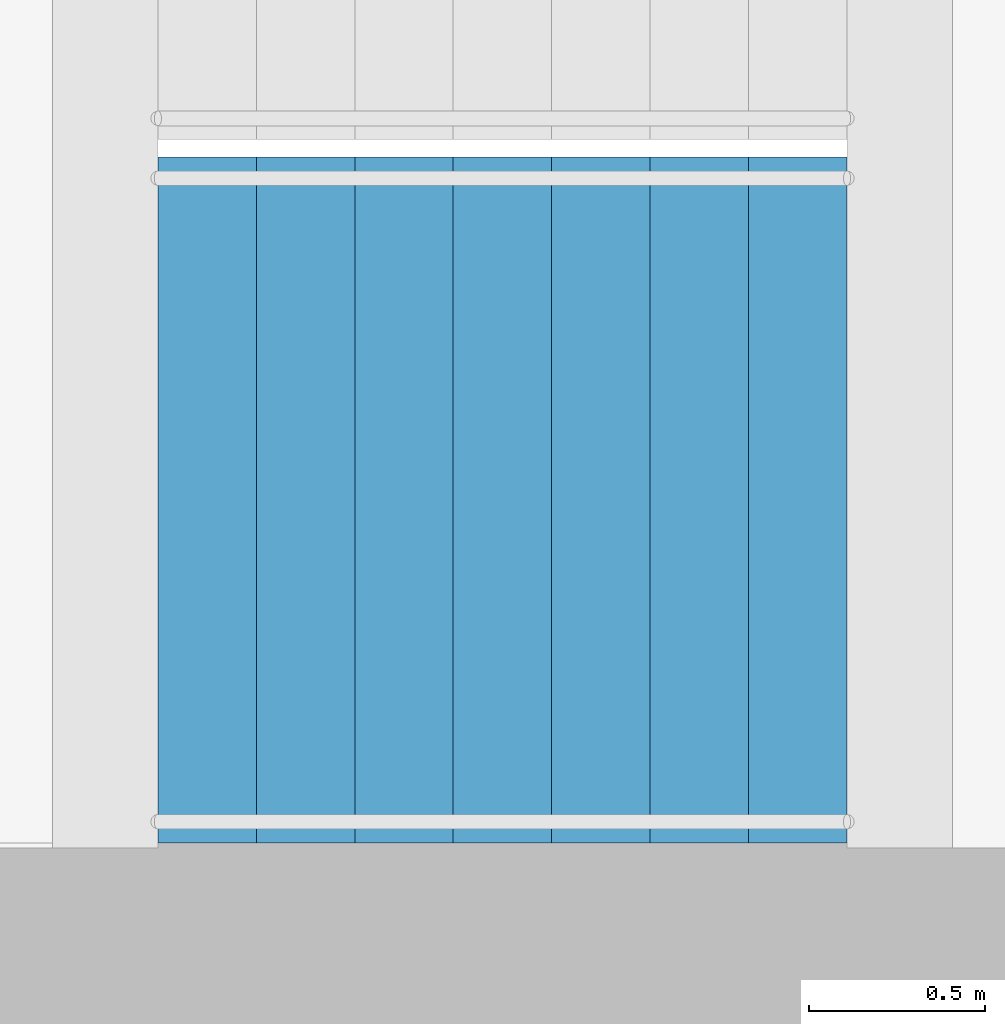
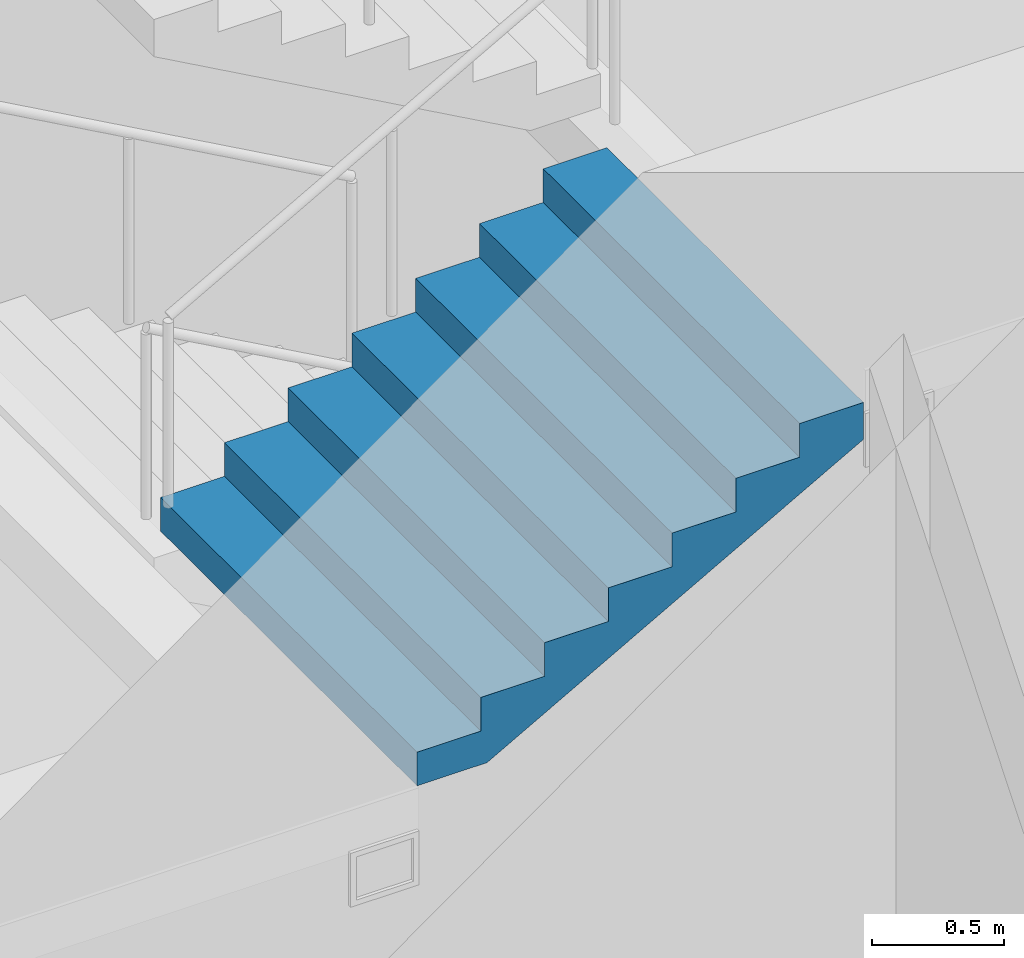
# One storey, part 21 of 37: 1 stair flight, 1 element without a shape of its own.
"""IFC4 building model written with IfcOpenShell, lengths in metres."""

from ifc_helpers import new_model, si_unit, direction, frame, origin, place, context, subcontext, project, spatial, triangles, material, type_object, element, aggregate, save


model = new_model("IFC4")

# Units and contexts
model_context = context("Model", 3, precision=1e-05, world=origin(), true_north=direction((0.0, 1.0)))
body_context = subcontext(model_context, "Body", "Model", "MODEL_VIEW")
ifc_project = project(units=[si_unit("LENGTHUNIT", "METRE"), si_unit("AREAUNIT", "SQUARE_METRE"), si_unit("VOLUMEUNIT", "CUBIC_METRE"), si_unit("PLANEANGLEUNIT", "RADIAN"), si_unit("MASSUNIT", "GRAM", prefix="KILO")], contexts=[model_context])

# Site, building, storey
site_placement = place(None, origin())
site = spatial("IfcSite", under=ifc_project, at=site_placement, CompositionType="ELEMENT")
building_placement = place(site_placement, origin())
building = spatial("IfcBuilding", under=site, at=building_placement, Name="Orbita Commons", CompositionType="ELEMENT")
storey_placement = place(building_placement, frame((0.0, 0.0, 6.0)))
storey = spatial("IfcBuildingStorey", under=building, at=storey_placement, Name="L01", CompositionType="ELEMENT", Elevation=6.0)

# Stair, stair flight
ifc_material_1 = material(Name="Precast concrete C40/50", Category="concrete")
stair_type = type_object("IfcStairType", Name="Exit stair S1 4 flights 8 risers 156", PredefinedType="HALF_TURN_STAIR", material=ifc_material_1)
stair_placement = place(storey_placement, origin())
stair = element("IfcStair", 1, at=stair_placement, inside=storey, type_object=stair_type, Name="Exit stair S1 L01", PredefinedType="HALF_TURN_STAIR")
ifc_material_2 = material(Name="Precast concrete C40/50", Category="concrete")
stair_flight_type = type_object("IfcStairFlightType", Name="Stair flight 8 risers 156 x 280", PredefinedType="STRAIGHT", material=ifc_material_2)
stair_flight_placement = place(storey_placement, frame((20.449951171875, 27.27490234375, 2.5), z_axis=(0.0, 0.0, 1.0), x_axis=(1.0, 0.0, 0.0)))
stair_flight = element("IfcStairFlight", 2, at=stair_flight_placement, type_object=stair_flight_type, Name="S1 flight 3", NumberOfRisers=8, NumberOfTreads=7, PredefinedType="STRAIGHT", RiserHeight=0.15625, TreadLength=0.28, context=body_context, shape_type="Tessellation", body=[
    triangles([(0.0, 0.974976, 0.0), (0.0, 0.974976, 0.019531), (0.0, 0.81248, 0.019531), (0.0, 0.81248, 0.0), (0.0, 0.649984, 0.019531), (0.0, 0.649984, 0.0), (0.0, 0.487488, 0.019531), (0.0, 0.487488, 0.0), (0.0, 0.324992, 0.019531), (0.0, 0.324992, 0.0), (0.0, 0.162496, 0.019531), (0.0, 0.162496, 0.0), (0.0, 0.0, 0.019531), (0.0, 0.0, 0.0), (0.0, -0.162496, 0.019531), (0.0, -0.162496, 0.0), (0.0, -0.324992, 0.019531), (0.0, -0.324992, 0.0), (0.0, -0.487488, 0.019531), (0.0, -0.487488, 0.0), (0.0, -0.649984, 0.019531), (0.0, -0.649984, 0.0), (0.0, -0.81248, 0.019531), (0.0, -0.81248, 0.0), (0.0, -0.974976, 0.019531), (0.0, -0.974976, 0.0), (0.0, 0.974976, 0.039062), (0.0, 0.81248, 0.039062), (0.0, 0.649984, 0.039062), (0.0, 0.487488, 0.039062), (0.0, 0.324992, 0.039062), (0.0, 0.162496, 0.039062), (0.0, 0.0, 0.039062), (0.0, -0.162496, 0.039062), (0.0, -0.324992, 0.039062), (0.0, -0.487488, 0.039062), (0.0, -0.649984, 0.039062), (0.0, -0.81248, 0.039062), (0.0, -0.974976, 0.039062), (0.0, 0.974976, 0.058594), (0.0, 0.81248, 0.058594), (0.0, 0.649984, 0.058594), (0.0, 0.487488, 0.058594), (0.0, 0.324992, 0.058594), (0.0, 0.162496, 0.058594), (0.0, 0.0, 0.058594), (0.0, -0.162496, 0.058594), (0.0, -0.324992, 0.058594), (0.0, -0.487488, 0.058594), (0.0, -0.649984, 0.058594), (0.0, -0.81248, 0.058594), (0.0, -0.974976, 0.058594), (0.0, 0.974976, 0.078125), (0.0, 0.81248, 0.078125), (0.0, 0.649984, 0.078125), (0.0, 0.487488, 0.078125), (0.0, 0.324992, 0.078125), (0.0, 0.162496, 0.078125), (0.0, 0.0, 0.078125), (0.0, -0.162496, 0.078125), (0.0, -0.324992, 0.078125), (0.0, -0.487488, 0.078125), (0.0, -0.649984, 0.078125), (0.0, -0.81248, 0.078125), (0.0, -0.974976, 0.078125), (0.0, 0.974976, 0.097656), (0.0, 0.81248, 0.097656), (0.0, 0.649984, 0.097656), (0.0, 0.487488, 0.097656), (0.0, 0.324992, 0.097656), (0.0, 0.162496, 0.097656), (0.0, 0.0, 0.097656), (0.0, -0.162496, 0.097656), (0.0, -0.324992, 0.097656), (0.0, -0.487488, 0.097656), (0.0, -0.649984, 0.097656), (0.0, -0.81248, 0.097656), (0.0, -0.974976, 0.097656), (0.0, 0.974976, 0.117188), (0.0, 0.81248, 0.117188), (0.0, 0.649984, 0.117188), (0.0, 0.487488, 0.117188), (0.0, 0.324992, 0.117188), (0.0, 0.162496, 0.117188), (0.0, 0.0, 0.117188), (0.0, -0.162496, 0.117188), (0.0, -0.324992, 0.117188), (0.0, -0.487488, 0.117188), (0.0, -0.649984, 0.117188), (0.0, -0.81248, 0.117188), (0.0, -0.974976, 0.117188), (0.0, 0.974976, 0.136719), (0.0, 0.81248, 0.136719), (0.0, 0.649984, 0.136719), (0.0, 0.487488, 0.136719), (0.0, 0.324992, 0.136719), (0.0, 0.162496, 0.136719), (0.0, 0.0, 0.136719), (0.0, -0.162496, 0.136719), (0.0, -0.324992, 0.136719), (0.0, -0.487488, 0.136719), (0.0, -0.649984, 0.136719), (0.0, -0.81248, 0.136719), (0.0, -0.974976, 0.136719), (0.0, 0.974976, 0.15625), (0.0, 0.81248, 0.15625), (0.0, 0.649984, 0.15625), (0.0, 0.487488, 0.15625), (0.0, 0.324992, 0.15625), (0.0, 0.162496, 0.15625), (0.0, 0.0, 0.15625), (0.0, -0.162496, 0.15625), (0.0, -0.324992, 0.15625), (0.0, -0.487488, 0.15625), (0.0, -0.649984, 0.15625), (0.0, -0.81248, 0.15625), (0.0, -0.974976, 0.15625), (0.28, 0.974976, 0.15625), (0.28, 0.81248, 0.15625), (0.28, 0.649984, 0.15625), (0.28, 0.487488, 0.15625), (0.28, 0.324992, 0.15625), (0.28, 0.162496, 0.15625), (0.28, 0.0, 0.15625), (0.28, -0.162496, 0.15625), (0.28, -0.324992, 0.15625), (0.28, -0.487488, 0.15625), (0.28, -0.649984, 0.15625), (0.28, -0.81248, 0.15625), (0.28, -0.974976, 0.15625), (0.28, 0.974976, 0.3125), (0.28, 0.81248, 0.3125), (0.28, 0.649984, 0.3125), (0.28, 0.487488, 0.3125), (0.28, 0.324992, 0.3125), (0.28, 0.162496, 0.3125), (0.28, 0.0, 0.3125), (0.28, -0.162496, 0.3125), (0.28, -0.324992, 0.3125), (0.28, -0.487488, 0.3125), (0.28, -0.649984, 0.3125), (0.28, -0.81248, 0.3125), (0.28, -0.974976, 0.3125), (0.56, 0.974976, 0.3125), (0.56, 0.81248, 0.3125), (0.56, 0.649984, 0.3125), (0.56, 0.487488, 0.3125), (0.56, 0.324992, 0.3125), (0.56, 0.162496, 0.3125), (0.56, 0.0, 0.3125), (0.56, -0.162496, 0.3125), (0.56, -0.324992, 0.3125), (0.56, -0.487488, 0.3125), (0.56, -0.649984, 0.3125), (0.56, -0.81248, 0.3125), (0.56, -0.974976, 0.3125), (0.56, 0.974976, 0.46875), (0.56, 0.81248, 0.46875), (0.56, 0.649984, 0.46875), (0.56, 0.487488, 0.46875), (0.56, 0.324992, 0.46875), (0.56, 0.162496, 0.46875), (0.56, 0.0, 0.46875), (0.56, -0.162496, 0.46875), (0.56, -0.324992, 0.46875), (0.56, -0.487488, 0.46875), (0.56, -0.649984, 0.46875), (0.56, -0.81248, 0.46875), (0.56, -0.974976, 0.46875), (0.84, 0.974976, 0.46875), (0.84, 0.81248, 0.46875), (0.84, 0.649984, 0.46875), (0.84, 0.487488, 0.46875), (0.84, 0.324992, 0.46875), (0.84, 0.162496, 0.46875), (0.84, 0.0, 0.46875), (0.84, -0.162496, 0.46875), (0.84, -0.324992, 0.46875), (0.84, -0.487488, 0.46875), (0.84, -0.649984, 0.46875), (0.84, -0.81248, 0.46875), (0.84, -0.974976, 0.46875), (0.84, 0.974976, 0.625), (0.84, 0.81248, 0.625), (0.84, 0.649984, 0.625), (0.84, 0.487488, 0.625), (0.84, 0.324992, 0.625), (0.84, 0.162496, 0.625), (0.84, 0.0, 0.625), (0.84, -0.162496, 0.625), (0.84, -0.324992, 0.625), (0.84, -0.487488, 0.625), (0.84, -0.649984, 0.625), (0.84, -0.81248, 0.625), (0.84, -0.974976, 0.625), (1.12, 0.974976, 0.625), (1.12, 0.81248, 0.625), (1.12, 0.649984, 0.625), (1.12, 0.487488, 0.625), (1.12, 0.324992, 0.625), (1.12, 0.162496, 0.625), (1.12, 0.0, 0.625), (1.12, -0.162496, 0.625), (1.12, -0.324992, 0.625), (1.12, -0.487488, 0.625), (1.12, -0.649984, 0.625), (1.12, -0.81248, 0.625), (1.12, -0.974976, 0.625), (1.12, 0.974976, 0.78125), (1.12, 0.81248, 0.78125), (1.12, 0.649984, 0.78125), (1.12, 0.487488, 0.78125), (1.12, 0.324992, 0.78125), (1.12, 0.162496, 0.78125), (1.12, 0.0, 0.78125), (1.12, -0.162496, 0.78125), (1.12, -0.324992, 0.78125), (1.12, -0.487488, 0.78125), (1.12, -0.649984, 0.78125), (1.12, -0.81248, 0.78125), (1.12, -0.974976, 0.78125), (1.4, 0.974976, 0.78125), (1.4, 0.81248, 0.78125), (1.4, 0.649984, 0.78125), (1.4, 0.487488, 0.78125), (1.4, 0.324992, 0.78125), (1.4, 0.162496, 0.78125), (1.4, 0.0, 0.78125), (1.4, -0.162496, 0.78125), (1.4, -0.324992, 0.78125), (1.4, -0.487488, 0.78125), (1.4, -0.649984, 0.78125), (1.4, -0.81248, 0.78125), (1.4, -0.974976, 0.78125), (1.4, 0.974976, 0.9375), (1.4, 0.81248, 0.9375), (1.4, 0.649984, 0.9375), (1.4, 0.487488, 0.9375), (1.4, 0.324992, 0.9375), (1.4, 0.162496, 0.9375), (1.4, 0.0, 0.9375), (1.4, -0.162496, 0.9375), (1.4, -0.324992, 0.9375), (1.4, -0.487488, 0.9375), (1.4, -0.649984, 0.9375), (1.4, -0.81248, 0.9375), (1.4, -0.974976, 0.9375), (1.68, 0.974976, 0.9375), (1.68, 0.81248, 0.9375), (1.68, 0.649984, 0.9375), (1.68, 0.487488, 0.9375), (1.68, 0.324992, 0.9375), (1.68, 0.162496, 0.9375), (1.68, 0.0, 0.9375), (1.68, -0.162496, 0.9375), (1.68, -0.324992, 0.9375), (1.68, -0.487488, 0.9375), (1.68, -0.649984, 0.9375), (1.68, -0.81248, 0.9375), (1.68, -0.974976, 0.9375), (1.68, 0.974976, 1.09375), (1.68, 0.81248, 1.09375), (1.68, 0.649984, 1.09375), (1.68, 0.487488, 1.09375), (1.68, 0.324992, 1.09375), (1.68, 0.162496, 1.09375), (1.68, 0.0, 1.09375), (1.68, -0.162496, 1.09375), (1.68, -0.324992, 1.09375), (1.68, -0.487488, 1.09375), (1.68, -0.649984, 1.09375), (1.68, -0.81248, 1.09375), (1.68, -0.974976, 1.09375), (1.96, 0.974976, 1.09375), (1.96, 0.81248, 1.09375), (1.96, 0.649984, 1.09375), (1.96, 0.487488, 1.09375), (1.96, 0.324992, 1.09375), (1.96, 0.162496, 1.09375), (1.96, 0.0, 1.09375), (1.96, -0.162496, 1.09375), (1.96, -0.324992, 1.09375), (1.96, -0.487488, 1.09375), (1.96, -0.649984, 1.09375), (1.96, -0.81248, 1.09375), (1.96, -0.974976, 1.09375), (1.96, 0.974976, 1.072292), (1.96, 0.81248, 1.072292), (1.96, 0.649984, 1.072292), (1.96, 0.487488, 1.072292), (1.96, 0.324992, 1.072292), (1.96, 0.162496, 1.072292), (1.96, 0.0, 1.072292), (1.96, -0.162496, 1.072292), (1.96, -0.324992, 1.072292), (1.96, -0.487488, 1.072292), (1.96, -0.649984, 1.072292), (1.96, -0.81248, 1.072292), (1.96, -0.974976, 1.072292), (1.96, 0.974976, 1.050834), (1.96, 0.81248, 1.050834), (1.96, 0.649984, 1.050834), (1.96, 0.487488, 1.050834), (1.96, 0.324992, 1.050834), (1.96, 0.162496, 1.050834), (1.96, 0.0, 1.050834), (1.96, -0.162496, 1.050834), (1.96, -0.324992, 1.050834), (1.96, -0.487488, 1.050834), (1.96, -0.649984, 1.050834), (1.96, -0.81248, 1.050834), (1.96, -0.974976, 1.050834), (1.96, 0.974976, 1.029376), (1.96, 0.81248, 1.029376), (1.96, 0.649984, 1.029376), (1.96, 0.487488, 1.029376), (1.96, 0.324992, 1.029376), (1.96, 0.162496, 1.029376), (1.96, 0.0, 1.029376), (1.96, -0.162496, 1.029376), (1.96, -0.324992, 1.029376), (1.96, -0.487488, 1.029376), (1.96, -0.649984, 1.029376), (1.96, -0.81248, 1.029376), (1.96, -0.974976, 1.029376), (1.96, 0.974976, 1.007919), (1.96, 0.81248, 1.007919), (1.96, 0.649984, 1.007919), (1.96, 0.487488, 1.007919), (1.96, 0.324992, 1.007919), (1.96, 0.162496, 1.007919), (1.96, 0.0, 1.007919), (1.96, -0.162496, 1.007919), (1.96, -0.324992, 1.007919), (1.96, -0.487488, 1.007919), (1.96, -0.649984, 1.007919), (1.96, -0.81248, 1.007919), (1.96, -0.974976, 1.007919), (1.96, 0.974976, 0.986461), (1.96, 0.81248, 0.986461), (1.96, 0.649984, 0.986461), (1.96, 0.487488, 0.986461), (1.96, 0.324992, 0.986461), (1.96, 0.162496, 0.986461), (1.96, 0.0, 0.986461), (1.96, -0.162496, 0.986461), (1.96, -0.324992, 0.986461), (1.96, -0.487488, 0.986461), (1.96, -0.649984, 0.986461), (1.96, -0.81248, 0.986461), (1.96, -0.974976, 0.986461), (1.96, 0.974976, 0.965003), (1.96, 0.81248, 0.965003), (1.96, 0.649984, 0.965003), (1.96, 0.487488, 0.965003), (1.96, 0.324992, 0.965003), (1.96, 0.162496, 0.965003), (1.96, 0.0, 0.965003), (1.96, -0.162496, 0.965003), (1.96, -0.324992, 0.965003), (1.96, -0.487488, 0.965003), (1.96, -0.649984, 0.965003), (1.96, -0.81248, 0.965003), (1.96, -0.974976, 0.965003), (1.96, 0.974976, 0.943545), (1.96, 0.81248, 0.943545), (1.96, 0.649984, 0.943545), (1.96, 0.487488, 0.943545), (1.96, 0.324992, 0.943545), (1.96, 0.162496, 0.943545), (1.96, 0.0, 0.943545), (1.96, -0.162496, 0.943545), (1.96, -0.324992, 0.943545), (1.96, -0.487488, 0.943545), (1.96, -0.649984, 0.943545), (1.96, -0.81248, 0.943545), (1.96, -0.974976, 0.943545), (1.96, 0.974976, 0.922087), (1.96, 0.81248, 0.922087), (1.96, 0.649984, 0.922087), (1.96, 0.487488, 0.922087), (1.96, 0.324992, 0.922087), (1.96, 0.162496, 0.922087), (1.96, 0.0, 0.922087), (1.96, -0.162496, 0.922087), (1.96, -0.324992, 0.922087), (1.96, -0.487488, 0.922087), (1.96, -0.649984, 0.922087), (1.96, -0.81248, 0.922087), (1.96, -0.974976, 0.922087), (0.30762, 0.974976, 0.0), (0.30762, 0.81248, 0.0), (0.30762, 0.649984, 0.0), (0.30762, 0.487488, 0.0), (0.30762, 0.324992, 0.0), (0.30762, 0.162496, 0.0), (0.30762, 0.0, 0.0), (0.30762, -0.162496, 0.0), (0.30762, -0.324992, 0.0), (0.30762, -0.487488, 0.0), (0.30762, -0.649984, 0.0), (0.30762, -0.81248, 0.0), (0.30762, -0.974976, 0.0)], [[3, 2, 1], [4, 3, 1], [5, 3, 4], [6, 5, 4], [7, 5, 6], [8, 7, 6], [9, 7, 8], [10, 9, 8], [11, 9, 10], [12, 11, 10], [13, 11, 12], [14, 13, 12], [15, 13, 14], [16, 15, 14], [17, 15, 16], [18, 17, 16], [19, 17, 18], [20, 19, 18], [21, 19, 20], [22, 21, 20], [23, 21, 22], [24, 23, 22], [25, 23, 24], [26, 25, 24], [28, 27, 2], [3, 28, 2], [29, 28, 3], [5, 29, 3], [30, 29, 5], [7, 30, 5], [31, 30, 7], [9, 31, 7], [32, 31, 9], [11, 32, 9], [33, 32, 11], [13, 33, 11], [34, 33, 13], [15, 34, 13], [35, 34, 15], [17, 35, 15], [36, 35, 17], [19, 36, 17], [37, 36, 19], [21, 37, 19], [38, 37, 21], [23, 38, 21], [39, 38, 23], [25, 39, 23], [41, 40, 27], [28, 41, 27], [42, 41, 28], [29, 42, 28], [43, 42, 29], [30, 43, 29], [44, 43, 30], [31, 44, 30], [45, 44, 31], [32, 45, 31], [46, 45, 32], [33, 46, 32], [47, 46, 33], [34, 47, 33], [48, 47, 34], [35, 48, 34], [49, 48, 35], [36, 49, 35], [50, 49, 36], [37, 50, 36], [51, 50, 37], [38, 51, 37], [52, 51, 38], [39, 52, 38], [54, 53, 40], [41, 54, 40], [55, 54, 41], [42, 55, 41], [56, 55, 42], [43, 56, 42], [57, 56, 43], [44, 57, 43], [58, 57, 44], [45, 58, 44], [59, 58, 45], [46, 59, 45], [60, 59, 46], [47, 60, 46], [61, 60, 47], [48, 61, 47], [62, 61, 48], [49, 62, 48], [63, 62, 49], [50, 63, 49], [64, 63, 50], [51, 64, 50], [65, 64, 51], [52, 65, 51], [67, 66, 53], [54, 67, 53], [68, 67, 54], [55, 68, 54], [69, 68, 55], [56, 69, 55], [70, 69, 56], [57, 70, 56], [71, 70, 57], [58, 71, 57], [72, 71, 58], [59, 72, 58], [73, 72, 59], [60, 73, 59], [74, 73, 60], [61, 74, 60], [75, 74, 61], [62, 75, 61], [76, 75, 62], [63, 76, 62], [77, 76, 63], [64, 77, 63], [78, 77, 64], [65, 78, 64], [80, 79, 66], [67, 80, 66], [81, 80, 67], [68, 81, 67], [82, 81, 68], [69, 82, 68], [83, 82, 69], [70, 83, 69], [84, 83, 70], [71, 84, 70], [85, 84, 71], [72, 85, 71], [86, 85, 72], [73, 86, 72], [87, 86, 73], [74, 87, 73], [88, 87, 74], [75, 88, 74], [89, 88, 75], [76, 89, 75], [90, 89, 76], [77, 90, 76], [91, 90, 77], [78, 91, 77], [93, 92, 79], [80, 93, 79], [94, 93, 80], [81, 94, 80], [95, 94, 81], [82, 95, 81], [96, 95, 82], [83, 96, 82], [97, 96, 83], [84, 97, 83], [98, 97, 84], [85, 98, 84], [99, 98, 85], [86, 99, 85], [100, 99, 86], [87, 100, 86], [101, 100, 87], [88, 101, 87], [102, 101, 88], [89, 102, 88], [103, 102, 89], [90, 103, 89], [104, 103, 90], [91, 104, 90], [106, 105, 92], [93, 106, 92], [107, 106, 93], [94, 107, 93], [108, 107, 94], [95, 108, 94], [109, 108, 95], [96, 109, 95], [110, 109, 96], [97, 110, 96], [111, 110, 97], [98, 111, 97], [112, 111, 98], [99, 112, 98], [113, 112, 99], [100, 113, 99], [114, 113, 100], [101, 114, 100], [115, 114, 101], [102, 115, 101], [116, 115, 102], [103, 116, 102], [117, 116, 103], [104, 117, 103], [119, 118, 105], [106, 119, 105], [120, 119, 106], [107, 120, 106], [121, 120, 107], [108, 121, 107], [122, 121, 108], [109, 122, 108], [123, 122, 109], [110, 123, 109], [124, 123, 110], [111, 124, 110], [125, 124, 111], [112, 125, 111], [126, 125, 112], [113, 126, 112], [127, 126, 113], [114, 127, 113], [128, 127, 114], [115, 128, 114], [129, 128, 115], [116, 129, 115], [130, 129, 116], [117, 130, 116], [132, 131, 118], [119, 132, 118], [133, 132, 119], [120, 133, 119], [134, 133, 120], [121, 134, 120], [135, 134, 121], [122, 135, 121], [136, 135, 122], [123, 136, 122], [137, 136, 123], [124, 137, 123], [138, 137, 124], [125, 138, 124], [139, 138, 125], [126, 139, 125], [140, 139, 126], [127, 140, 126], [141, 140, 127], [128, 141, 127], [142, 141, 128], [129, 142, 128], [143, 142, 129], [130, 143, 129], [145, 144, 131], [132, 145, 131], [146, 145, 132], [133, 146, 132], [147, 146, 133], [134, 147, 133], [148, 147, 134], [135, 148, 134], [149, 148, 135], [136, 149, 135], [150, 149, 136], [137, 150, 136], [151, 150, 137], [138, 151, 137], [152, 151, 138], [139, 152, 138], [153, 152, 139], [140, 153, 139], [154, 153, 140], [141, 154, 140], [155, 154, 141], [142, 155, 141], [156, 155, 142], [143, 156, 142], [158, 157, 144], [145, 158, 144], [159, 158, 145], [146, 159, 145], [160, 159, 146], [147, 160, 146], [161, 160, 147], [148, 161, 147], [162, 161, 148], [149, 162, 148], [163, 162, 149], [150, 163, 149], [164, 163, 150], [151, 164, 150], [165, 164, 151], [152, 165, 151], [166, 165, 152], [153, 166, 152], [167, 166, 153], [154, 167, 153], [168, 167, 154], [155, 168, 154], [169, 168, 155], [156, 169, 155], [171, 170, 157], [158, 171, 157], [172, 171, 158], [159, 172, 158], [173, 172, 159], [160, 173, 159], [174, 173, 160], [161, 174, 160], [175, 174, 161], [162, 175, 161], [176, 175, 162], [163, 176, 162], [177, 176, 163], [164, 177, 163], [178, 177, 164], [165, 178, 164], [179, 178, 165], [166, 179, 165], [180, 179, 166], [167, 180, 166], [181, 180, 167], [168, 181, 167], [182, 181, 168], [169, 182, 168], [184, 183, 170], [171, 184, 170], [185, 184, 171], [172, 185, 171], [186, 185, 172], [173, 186, 172], [187, 186, 173], [174, 187, 173], [188, 187, 174], [175, 188, 174], [189, 188, 175], [176, 189, 175], [190, 189, 176], [177, 190, 176], [191, 190, 177], [178, 191, 177], [192, 191, 178], [179, 192, 178], [193, 192, 179], [180, 193, 179], [194, 193, 180], [181, 194, 180], [195, 194, 181], [182, 195, 181], [197, 196, 183], [184, 197, 183], [198, 197, 184], [185, 198, 184], [199, 198, 185], [186, 199, 185], [200, 199, 186], [187, 200, 186], [201, 200, 187], [188, 201, 187], [202, 201, 188], [189, 202, 188], [203, 202, 189], [190, 203, 189], [204, 203, 190], [191, 204, 190], [205, 204, 191], [192, 205, 191], [206, 205, 192], [193, 206, 192], [207, 206, 193], [194, 207, 193], [208, 207, 194], [195, 208, 194], [210, 209, 196], [197, 210, 196], [211, 210, 197], [198, 211, 197], [212, 211, 198], [199, 212, 198], [213, 212, 199], [200, 213, 199], [214, 213, 200], [201, 214, 200], [215, 214, 201], [202, 215, 201], [216, 215, 202], [203, 216, 202], [217, 216, 203], [204, 217, 203], [218, 217, 204], [205, 218, 204], [219, 218, 205], [206, 219, 205], [220, 219, 206], [207, 220, 206], [221, 220, 207], [208, 221, 207], [223, 222, 209], [210, 223, 209], [224, 223, 210], [211, 224, 210], [225, 224, 211], [212, 225, 211], [226, 225, 212], [213, 226, 212], [227, 226, 213], [214, 227, 213], [228, 227, 214], [215, 228, 214], [229, 228, 215], [216, 229, 215], [230, 229, 216], [217, 230, 216], [231, 230, 217], [218, 231, 217], [232, 231, 218], [219, 232, 218], [233, 232, 219], [220, 233, 219], [234, 233, 220], [221, 234, 220], [236, 235, 222], [223, 236, 222], [237, 236, 223], [224, 237, 223], [238, 237, 224], [225, 238, 224], [239, 238, 225], [226, 239, 225], [240, 239, 226], [227, 240, 226], [241, 240, 227], [228, 241, 227], [242, 241, 228], [229, 242, 228], [243, 242, 229], [230, 243, 229], [244, 243, 230], [231, 244, 230], [245, 244, 231], [232, 245, 231], [246, 245, 232], [233, 246, 232], [247, 246, 233], [234, 247, 233], [249, 248, 235], [236, 249, 235], [250, 249, 236], [237, 250, 236], [251, 250, 237], [238, 251, 237], [252, 251, 238], [239, 252, 238], [253, 252, 239], [240, 253, 239], [254, 253, 240], [241, 254, 240], [255, 254, 241], [242, 255, 241], [256, 255, 242], [243, 256, 242], [257, 256, 243], [244, 257, 243], [258, 257, 244], [245, 258, 244], [259, 258, 245], [246, 259, 245], [260, 259, 246], [247, 260, 246], [262, 261, 248], [249, 262, 248], [263, 262, 249], [250, 263, 249], [264, 263, 250], [251, 264, 250], [265, 264, 251], [252, 265, 251], [266, 265, 252], [253, 266, 252], [267, 266, 253], [254, 267, 253], [268, 267, 254], [255, 268, 254], [269, 268, 255], [256, 269, 255], [270, 269, 256], [257, 270, 256], [271, 270, 257], [258, 271, 257], [272, 271, 258], [259, 272, 258], [273, 272, 259], [260, 273, 259], [275, 274, 261], [262, 275, 261], [276, 275, 262], [263, 276, 262], [277, 276, 263], [264, 277, 263], [278, 277, 264], [265, 278, 264], [279, 278, 265], [266, 279, 265], [280, 279, 266], [267, 280, 266], [281, 280, 267], [268, 281, 267], [282, 281, 268], [269, 282, 268], [283, 282, 269], [270, 283, 269], [284, 283, 270], [271, 284, 270], [285, 284, 271], [272, 285, 271], [286, 285, 272], [273, 286, 272], [288, 287, 274], [275, 288, 274], [289, 288, 275], [276, 289, 275], [290, 289, 276], [277, 290, 276], [291, 290, 277], [278, 291, 277], [292, 291, 278], [279, 292, 278], [293, 292, 279], [280, 293, 279], [294, 293, 280], [281, 294, 280], [295, 294, 281], [282, 295, 281], [296, 295, 282], [283, 296, 282], [297, 296, 283], [284, 297, 283], [298, 297, 284], [285, 298, 284], [299, 298, 285], [286, 299, 285], [301, 300, 287], [288, 301, 287], [302, 301, 288], [289, 302, 288], [303, 302, 289], [290, 303, 289], [304, 303, 290], [291, 304, 290], [305, 304, 291], [292, 305, 291], [306, 305, 292], [293, 306, 292], [307, 306, 293], [294, 307, 293], [308, 307, 294], [295, 308, 294], [309, 308, 295], [296, 309, 295], [310, 309, 296], [297, 310, 296], [311, 310, 297], [298, 311, 297], [312, 311, 298], [299, 312, 298], [314, 313, 300], [301, 314, 300], [315, 314, 301], [302, 315, 301], [316, 315, 302], [303, 316, 302], [317, 316, 303], [304, 317, 303], [318, 317, 304], [305, 318, 304], [319, 318, 305], [306, 319, 305], [320, 319, 306], [307, 320, 306], [321, 320, 307], [308, 321, 307], [322, 321, 308], [309, 322, 308], [323, 322, 309], [310, 323, 309], [324, 323, 310], [311, 324, 310], [325, 324, 311], [312, 325, 311], [327, 326, 313], [314, 327, 313], [328, 327, 314], [315, 328, 314], [329, 328, 315], [316, 329, 315], [330, 329, 316], [317, 330, 316], [331, 330, 317], [318, 331, 317], [332, 331, 318], [319, 332, 318], [333, 332, 319], [320, 333, 319], [334, 333, 320], [321, 334, 320], [335, 334, 321], [322, 335, 321], [336, 335, 322], [323, 336, 322], [337, 336, 323], [324, 337, 323], [338, 337, 324], [325, 338, 324], [340, 339, 326], [327, 340, 326], [341, 340, 327], [328, 341, 327], [342, 341, 328], [329, 342, 328], [343, 342, 329], [330, 343, 329], [344, 343, 330], [331, 344, 330], [345, 344, 331], [332, 345, 331], [346, 345, 332], [333, 346, 332], [347, 346, 333], [334, 347, 333], [348, 347, 334], [335, 348, 334], [349, 348, 335], [336, 349, 335], [350, 349, 336], [337, 350, 336], [351, 350, 337], [338, 351, 337], [353, 352, 339], [340, 353, 339], [354, 353, 340], [341, 354, 340], [355, 354, 341], [342, 355, 341], [356, 355, 342], [343, 356, 342], [357, 356, 343], [344, 357, 343], [358, 357, 344], [345, 358, 344], [359, 358, 345], [346, 359, 345], [360, 359, 346], [347, 360, 346], [361, 360, 347], [348, 361, 347], [362, 361, 348], [349, 362, 348], [363, 362, 349], [350, 363, 349], [364, 363, 350], [351, 364, 350], [366, 365, 352], [353, 366, 352], [367, 366, 353], [354, 367, 353], [368, 367, 354], [355, 368, 354], [369, 368, 355], [356, 369, 355], [370, 369, 356], [357, 370, 356], [371, 370, 357], [358, 371, 357], [372, 371, 358], [359, 372, 358], [373, 372, 359], [360, 373, 359], [374, 373, 360], [361, 374, 360], [375, 374, 361], [362, 375, 361], [376, 375, 362], [363, 376, 362], [377, 376, 363], [364, 377, 363], [379, 378, 365], [366, 379, 365], [380, 379, 366], [367, 380, 366], [381, 380, 367], [368, 381, 367], [382, 381, 368], [369, 382, 368], [383, 382, 369], [370, 383, 369], [384, 383, 370], [371, 384, 370], [385, 384, 371], [372, 385, 371], [386, 385, 372], [373, 386, 372], [387, 386, 373], [374, 387, 373], [388, 387, 374], [375, 388, 374], [389, 388, 375], [376, 389, 375], [390, 389, 376], [377, 390, 376], [392, 391, 378], [379, 392, 378], [393, 392, 379], [380, 393, 379], [394, 393, 380], [381, 394, 380], [395, 394, 381], [382, 395, 381], [396, 395, 382], [383, 396, 382], [397, 396, 383], [384, 397, 383], [398, 397, 384], [385, 398, 384], [399, 398, 385], [386, 399, 385], [400, 399, 386], [387, 400, 386], [401, 400, 387], [388, 401, 387], [402, 401, 388], [389, 402, 388], [403, 402, 389], [390, 403, 389], [4, 1, 391], [392, 4, 391], [6, 4, 392], [393, 6, 392], [8, 6, 393], [394, 8, 393], [10, 8, 394], [395, 10, 394], [12, 10, 395], [396, 12, 395], [14, 12, 396], [397, 14, 396], [16, 14, 397], [398, 16, 397], [18, 16, 398], [399, 18, 398], [20, 18, 399], [400, 20, 399], [22, 20, 400], [401, 22, 400], [24, 22, 401], [402, 24, 401], [26, 24, 402], [403, 26, 402], [378, 391, 1], [26, 403, 390], [365, 378, 1], [26, 390, 377], [352, 365, 1], [26, 377, 364], [339, 352, 1], [26, 364, 351], [326, 339, 1], [26, 351, 338], [313, 326, 1], [26, 338, 325], [300, 313, 1], [26, 325, 312], [287, 300, 1], [26, 312, 299], [261, 274, 287], [299, 286, 273], [248, 261, 287], [299, 273, 260], [222, 235, 248], [260, 247, 234], [222, 248, 287], [299, 260, 234], [196, 209, 222], [234, 221, 208], [196, 222, 287], [299, 234, 208], [170, 183, 196], [208, 195, 182], [170, 196, 287], [299, 208, 182], [144, 157, 170], [182, 169, 156], [144, 170, 287], [299, 182, 156], [118, 131, 144], [156, 143, 130], [118, 144, 287], [299, 156, 130], [118, 287, 1], [26, 299, 130], [92, 105, 118], [130, 117, 104], [79, 92, 118], [130, 104, 91], [66, 79, 118], [130, 91, 78], [53, 66, 118], [130, 78, 65], [40, 53, 118], [130, 65, 52], [27, 40, 118], [130, 52, 39], [2, 27, 118], [130, 39, 25], [1, 2, 118], [130, 25, 26]], closed=True),
])
aggregate(stair, [stair_flight])

save(model, "model.ifc")
